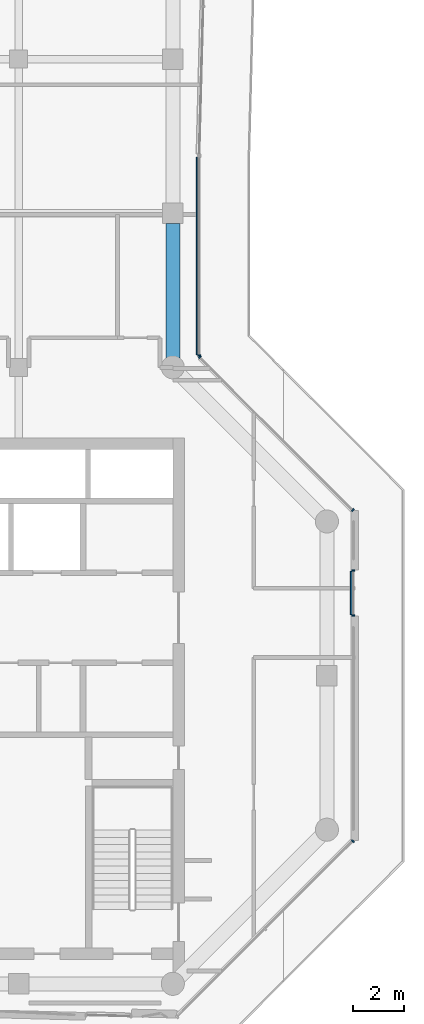
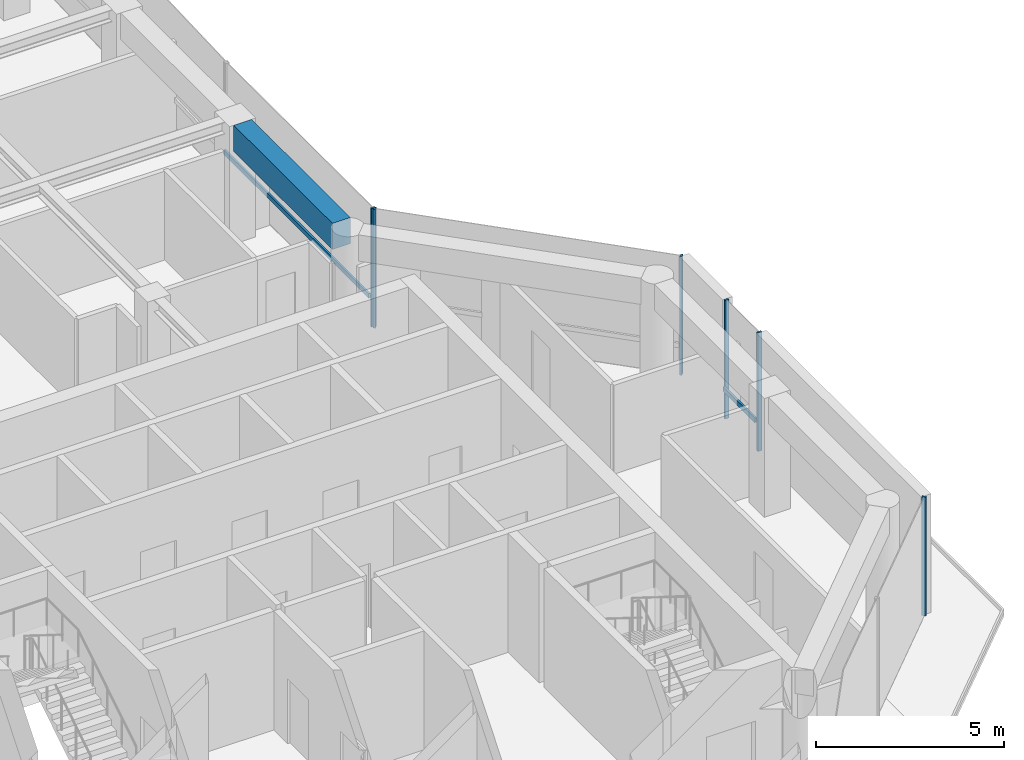
# One storey, part 6 of 19: 8 members, 1 beam, 4 elements without a shape of their own.
"""IFC4 building model written with IfcOpenShell, lengths in metres."""

from ifc_helpers import new_model, si_unit, direction, frame, origin, origin_2d, place, context, subcontext, project, spatial, rectangle, extrude, material, layer, layer_set, material_profile, profile_set, type_object, element, aggregate, save


model = new_model("IFC4")

# Units and contexts
model_context = context("Model", 3, precision=1e-05, world=origin(), true_north=direction((0.0, 1.0)))
body_context = subcontext(model_context, "Body", "Model", "MODEL_VIEW")
ifc_project = project(units=[si_unit("LENGTHUNIT", "METRE"), si_unit("AREAUNIT", "SQUARE_METRE"), si_unit("VOLUMEUNIT", "CUBIC_METRE"), si_unit("PLANEANGLEUNIT", "RADIAN"), si_unit("MASSUNIT", "GRAM", prefix="KILO")], contexts=[model_context])

# Site, building, storey
site_placement = place(None, origin())
site = spatial("IfcSite", under=ifc_project, at=site_placement, CompositionType="ELEMENT")
building_placement = place(site_placement, origin())
building = spatial("IfcBuilding", under=site, at=building_placement, Name="Welwitschia Terrace Campus", CompositionType="ELEMENT")
storey_placement = place(building_placement, frame((0.0, 0.0, 234.800048828125)))
storey = spatial("IfcBuildingStorey", under=building, at=storey_placement, Name="L52", CompositionType="ELEMENT", Elevation=234.800048828125)

# Curtain wall, member
ifc_material_1 = material(Name="Bronze anodised aluminium", Category="aluminium")
ifc_layer = layer(ifc_material_1, 0.1201171875)
ifc_layer_set = layer_set([ifc_layer], Name="Bronze anodised aluminium")
curtain_wall_type = type_object("IfcCurtainWallType", Name="Curtain wall CW2 tower 6000", PredefinedType="NOTDEFINED", material=ifc_layer_set)
curtain_wall_1_placement = place(storey_placement, origin())
curtain_wall_1 = element("IfcCurtainWall", 1, at=curtain_wall_1_placement, inside=storey, type_object=curtain_wall_type, Name="CW L52.5.0", PredefinedType="NOTDEFINED")
ifc_material_2 = material(Name="Bronze anodised aluminium", Category="aluminium")
ifc_material_profile_1 = material_profile(ifc_material_2, rectangle(XDim=0.1201171875, YDim=0.06005859375, at=origin_2d()))
ifc_profile_set_1 = profile_set([ifc_material_profile_1], Name="Bronze anodised aluminium")
member_type_1 = type_object("IfcMemberType", Name="Mullion 60x120", PredefinedType="MULLION", material=ifc_profile_set_1)
member_1_placement = place(storey_placement, frame((31.0087890625, 9.55224609375, 0.0), z_axis=(0.0, 0.0, 1.0), x_axis=(-0.707106781187, 0.707106781187, 0.0)))
member_1 = element("IfcMember", 2, at=member_1_placement, type_object=member_type_1, Name="Mullion L52.5.0.2", PredefinedType="MULLION", context=body_context, shape_type="SweptSolid", body=[
    extrude(rectangle(XDim=0.1201171875, YDim=0.06005859375, at=origin_2d()), origin(), (0.0, 0.0, 1.0), 3.849853515625),
])
aggregate(curtain_wall_1, [member_1])

# Curtain wall, members
curtain_wall_2_placement = place(storey_placement, origin())
curtain_wall_2 = element("IfcCurtainWall", 3, at=curtain_wall_2_placement, inside=storey, type_object=curtain_wall_type, Name="CW L52.6.S0", PredefinedType="NOTDEFINED")
member_2_placement = place(storey_placement, frame((31.030029296875, 18.34326171875, 0.0), z_axis=(0.0, 0.0, 1.0), x_axis=(-1.0, 0.0, 0.0)))
member_2 = element("IfcMember", 4, at=member_2_placement, type_object=member_type_1, Name="Mullion L52.6.S0.0", PredefinedType="MULLION", context=body_context, shape_type="SweptSolid", body=[
    extrude(rectangle(XDim=0.1201171875, YDim=0.06005859375, at=origin_2d()), origin(), (0.0, 0.0, 1.0), 3.849853515625),
])
member_3_placement = place(storey_placement, frame((31.030029296875, 20.083251953125, 0.0), z_axis=(0.0, 0.0, 1.0), x_axis=(-1.0, 0.0, 0.0)))
member_3 = element("IfcMember", 5, at=member_3_placement, type_object=member_type_1, Name="Mullion L52.6.S0.1", PredefinedType="MULLION", context=body_context, shape_type="SweptSolid", body=[
    extrude(rectangle(XDim=0.1201171875, YDim=0.06005859375, at=origin_2d()), origin(), (0.0, 0.0, 1.0), 3.849853515625),
])

curtain_wall_3_placement = place(storey_placement, origin())
curtain_wall_3 = element("IfcCurtainWall", 6, at=curtain_wall_3_placement, inside=storey, type_object=curtain_wall_type, Name="CW L52.7.0", PredefinedType="NOTDEFINED")
member_4_placement = place(storey_placement, frame((31.0087890625, 22.44775390625, 0.0), z_axis=(0.0, 0.0, 1.0), x_axis=(-0.707106781187, -0.707106781187, 0.0)))
member_4 = element("IfcMember", 7, at=member_4_placement, type_object=member_type_1, Name="Mullion L52.7.0.0", PredefinedType="MULLION", context=body_context, shape_type="SweptSolid", body=[
    extrude(rectangle(XDim=0.1201171875, YDim=0.06005859375, at=origin_2d()), origin(), (0.0, 0.0, 1.0), 3.849853515625),
])
member_5_placement = place(storey_placement, frame((25.05126953125, 28.405517578125, 0.0), z_axis=(0.0, 0.0, 1.0), x_axis=(-0.707106781187, -0.707106781187, 0.0)))
member_5 = element("IfcMember", 8, at=member_5_placement, type_object=member_type_1, Name="Mullion L52.7.0.1", PredefinedType="MULLION", context=body_context, shape_type="SweptSolid", body=[
    extrude(rectangle(XDim=0.1201171875, YDim=0.06005859375, at=origin_2d()), origin(), (0.0, 0.0, 1.0), 3.849853515625),
])
aggregate(curtain_wall_3, [member_4, member_5])

# Curtain wall, member
curtain_wall_4_placement = place(storey_placement, origin())
curtain_wall_4 = element("IfcCurtainWall", 9, at=curtain_wall_4_placement, inside=storey, type_object=curtain_wall_type, Name="CW L52.8.0", PredefinedType="NOTDEFINED")
member_6_placement = place(storey_placement, frame((25.030029296875, 28.45654296875, 0.0), z_axis=(0.0, 0.0, 1.0), x_axis=(-1.0, 0.0, 0.0)))
member_6 = element("IfcMember", 10, at=member_6_placement, type_object=member_type_1, Name="Mullion L52.8.0.0", PredefinedType="MULLION", context=body_context, shape_type="SweptSolid", body=[
    extrude(rectangle(XDim=0.1201171875, YDim=0.06005859375, at=origin_2d()), origin(), (0.0, 0.0, 1.0), 3.849853515625),
])

# Beam
ifc_material_3 = material(Name="Concrete C50/60", Category="concrete")
ifc_material_profile_2 = material_profile(ifc_material_3, rectangle(XDim=0.550048828125, YDim=0.85009765625, at=origin_2d()))
ifc_profile_set_2 = profile_set([ifc_material_profile_2], Name="Concrete C50/60")
beam_type = type_object("IfcBeamType", Name="Ring spandrel 550x850", PredefinedType="SPANDREL", material=ifc_profile_set_2)
beam_placement = place(storey_placement, frame((24.0, 28.35693359375, 3.425048828125), z_axis=(0.0, 1.0, 0.0), x_axis=(-1.0, 0.0, 0.0)))
element("IfcBeam", 11, at=beam_placement, inside=storey, type_object=beam_type, Name="Spandrel SP3", PredefinedType="SPANDREL", context=body_context, shape_type="SweptSolid", body=[
    extrude(rectangle(XDim=0.550048828125, YDim=0.85009765625, at=origin_2d()), origin(), (0.0, 0.0, 1.0), 5.24267578125),
])

# Member
ifc_material_4 = material(Name="Bronze anodised aluminium", Category="aluminium")
ifc_material_profile_3 = material_profile(ifc_material_4, rectangle(XDim=0.06005859375, YDim=0.14990234375, at=origin_2d()))
ifc_profile_set_3 = profile_set([ifc_material_profile_3], Name="Bronze anodised aluminium")
member_type_2 = type_object("IfcMemberType", Name="Transom 60x150", PredefinedType="USERDEFINED", material=ifc_profile_set_3)
member_7_placement = place(storey_placement, frame((30.93994140625, 18.373291015625, 1.0), z_axis=(0.0, 1.0, 0.0), x_axis=(-1.0, 0.0, 0.0)))
member_7 = element("IfcMember", 12, at=member_7_placement, type_object=member_type_2, Name="Transom L52.6.S0", ObjectType="TRANSOM", PredefinedType="USERDEFINED", context=body_context, shape_type="SweptSolid", body=[
    extrude(rectangle(XDim=0.06005859375, YDim=0.14990234375, at=origin_2d()), origin(), (0.0, 0.0, 1.0), 1.679931640625),
])

aggregate(curtain_wall_2, [member_2, member_3, member_7])

member_8_placement = place(storey_placement, frame((24.93994140625, 28.486572265625, 1.0), z_axis=(0.0, 1.0, 0.0), x_axis=(-1.0, 0.0, 0.0)))
member_8 = element("IfcMember", 13, at=member_8_placement, type_object=member_type_2, Name="Transom L52.8.0", ObjectType="TRANSOM", PredefinedType="USERDEFINED", context=body_context, shape_type="SweptSolid", body=[
    extrude(rectangle(XDim=0.06005859375, YDim=0.14990234375, at=origin_2d()), origin(), (0.0, 0.0, 1.0), 7.69677734375),
])

aggregate(curtain_wall_4, [member_6, member_8])

save(model, "model.ifc")
